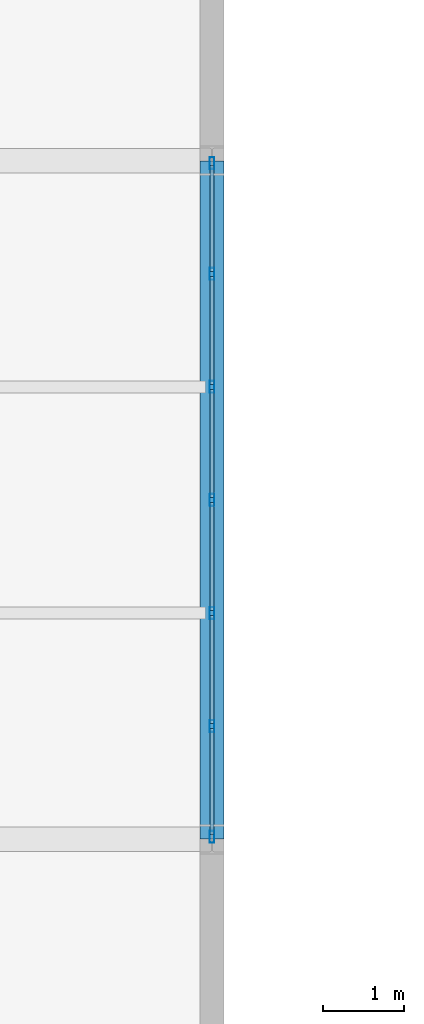
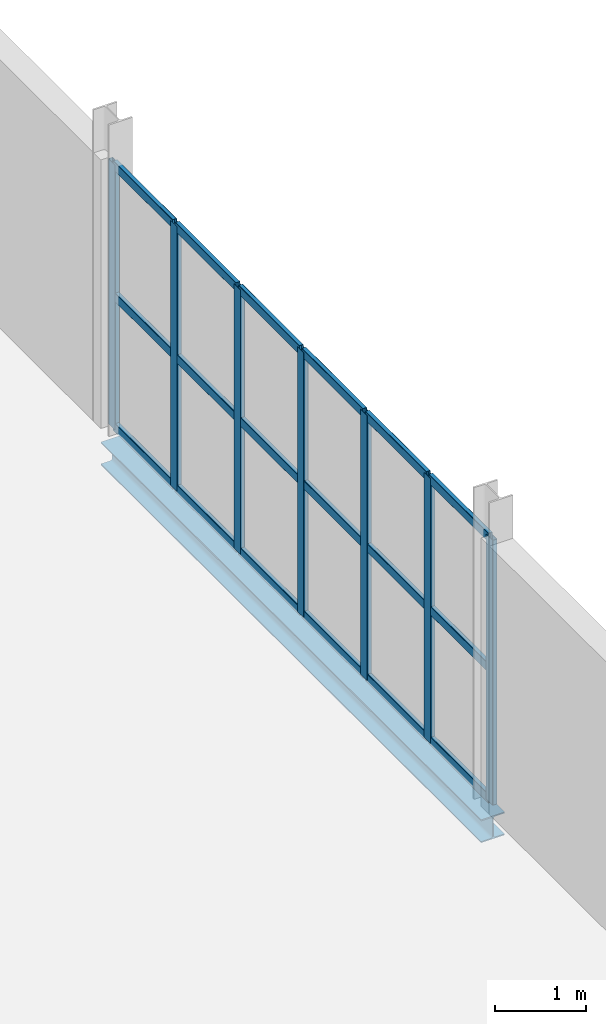
# One storey, part 86 of 163: 25 members, 1 beam, 1 element without a shape of its own.
"""IFC4 building model written with IfcOpenShell, lengths in metres."""

from ifc_helpers import new_model, si_unit, direction, frame, origin, origin_2d, place, context, subcontext, project, spatial, hollow_rectangle, i_section, extrude, material, layer, layer_set, material_profile, profile_set, type_object, element, aggregate, save


model = new_model("IFC4")

# Units and contexts
model_context = context("Model", 3, precision=1e-05, world=origin(), true_north=direction((0.0, 1.0)))
body_context = subcontext(model_context, "Body", "Model", "MODEL_VIEW")
ifc_project = project(units=[si_unit("LENGTHUNIT", "METRE"), si_unit("AREAUNIT", "SQUARE_METRE"), si_unit("VOLUMEUNIT", "CUBIC_METRE"), si_unit("PLANEANGLEUNIT", "RADIAN"), si_unit("MASSUNIT", "GRAM", prefix="KILO")], contexts=[model_context])

# Site, building, storey
site_placement = place(None, origin())
site = spatial("IfcSite", under=ifc_project, at=site_placement, CompositionType="ELEMENT")
building_placement = place(site_placement, origin())
building = spatial("IfcBuilding", under=site, at=building_placement, Name="Qalvenar Corner Mobility Hub", CompositionType="ELEMENT")
storey_placement = place(building_placement, frame((0.0, 0.0, 4.800048828125)))
storey = spatial("IfcBuildingStorey", under=building, at=storey_placement, Name="L01", CompositionType="ELEMENT", Elevation=4.800048828125)

# Beam
ifc_material_1 = material(Name="Steel S355", Category="steel")
ifc_material_profile_1 = material_profile(ifc_material_1, i_section(OverallWidth=0.300048828125, OverallDepth=0.31005859375, WebThickness=0.009033203125, FlangeThickness=0.015380859375, FilletRadius=0.027099609375, at=origin_2d()), Name="HEA320")
ifc_profile_set_1 = profile_set([ifc_material_profile_1], Name="Steel S355")
beam_type = type_object("IfcBeamType", Name="BM-SPN320", PredefinedType="SPANDREL", material=ifc_profile_set_1)
beam_placement = place(storey_placement, frame((33.60009765625, 67.199951171875, -0.3349609375), z_axis=(0.0, 1.0, 0.0), x_axis=(-1.0, 0.0, 0.0)))
element("IfcBeam", 1, at=beam_placement, inside=storey, type_object=beam_type, Name="Primary Steel Girder GY-1207", PredefinedType="SPANDREL", context=body_context, shape_type="SweptSolid", body=[
    extrude(i_section(OverallWidth=0.300048828125, OverallDepth=0.31005859375, WebThickness=0.009033203125, FlangeThickness=0.015380859375, FilletRadius=0.027099609375, at=origin_2d()), origin(), (0.0, 0.0, 1.0), 8.400146484375),
])

# Curtain wall, members
ifc_material_2 = material(Name="Anodised Aluminium and Low-E Glazing", Category="aluminium")
ifc_layer = layer(ifc_material_2, 0.14990234375)
ifc_layer_set = layer_set([ifc_layer], Name="Anodised Aluminium and Low-E Glazing")
curtain_wall_type = type_object("IfcCurtainWallType", Name="CW-CYC-84X39", PredefinedType="NOTDEFINED", material=ifc_layer_set)
curtain_wall_placement = place(storey_placement, origin())
curtain_wall = element("IfcCurtainWall", 2, at=curtain_wall_placement, inside=storey, type_object=curtain_wall_type, Name="Glazed Curtain Wall CW-V5-L01-E3", PredefinedType="NOTDEFINED")
ifc_material_3 = material(Name="Anodised Aluminium 6063-T6", Category="aluminium")
ifc_material_profile_2 = material_profile(ifc_material_3, hollow_rectangle(XDim=0.06005859375, YDim=0.14990234375, WallThickness=0.00390625, InnerFilletRadius=0.00390625, OuterFilletRadius=0.008056640625, at=origin_2d()), Name="RHS150x60x4")
ifc_profile_set_2 = profile_set([ifc_material_profile_2], Name="Anodised Aluminium 6063-T6")
member_type_1 = type_object("IfcMemberType", Name="CW-MUL150", PredefinedType="MULLION", material=ifc_profile_set_2)
member_1_placement = place(storey_placement, frame((33.60009765625, 67.22998046875, 0.0), z_axis=(0.0, 0.0, 1.0), x_axis=(-1.0, 0.0, 0.0)))
member_1 = element("IfcMember", 3, at=member_1_placement, type_object=member_type_1, Name="CW-08 mullion 1", PredefinedType="MULLION", context=body_context, shape_type="SweptSolid", body=[
    extrude(hollow_rectangle(XDim=0.06005859375, YDim=0.14990234375, WallThickness=0.00390625, InnerFilletRadius=0.00390625, OuterFilletRadius=0.008056640625, at=origin_2d()), origin(), (0.0, 0.0, 1.0), 3.570068359375),
])
member_2_placement = place(storey_placement, frame((33.60009765625, 68.60009765625, 0.0), z_axis=(0.0, 0.0, 1.0), x_axis=(-1.0, 0.0, 0.0)))
member_2 = element("IfcMember", 4, at=member_2_placement, type_object=member_type_1, Name="CW-08 mullion 2", PredefinedType="MULLION", context=body_context, shape_type="SweptSolid", body=[
    extrude(hollow_rectangle(XDim=0.06005859375, YDim=0.14990234375, WallThickness=0.00390625, InnerFilletRadius=0.00390625, OuterFilletRadius=0.008056640625, at=origin_2d()), origin(), (0.0, 0.0, 1.0), 3.570068359375),
])
member_3_placement = place(storey_placement, frame((33.60009765625, 70.0, 0.0), z_axis=(0.0, 0.0, 1.0), x_axis=(-1.0, 0.0, 0.0)))
member_3 = element("IfcMember", 5, at=member_3_placement, type_object=member_type_1, Name="CW-08 mullion 3", PredefinedType="MULLION", context=body_context, shape_type="SweptSolid", body=[
    extrude(hollow_rectangle(XDim=0.06005859375, YDim=0.14990234375, WallThickness=0.00390625, InnerFilletRadius=0.00390625, OuterFilletRadius=0.008056640625, at=origin_2d()), origin(), (0.0, 0.0, 1.0), 3.570068359375),
])
member_4_placement = place(storey_placement, frame((33.60009765625, 71.39990234375, 0.0), z_axis=(0.0, 0.0, 1.0), x_axis=(-1.0, 0.0, 0.0)))
member_4 = element("IfcMember", 6, at=member_4_placement, type_object=member_type_1, Name="CW-08 mullion 4", PredefinedType="MULLION", context=body_context, shape_type="SweptSolid", body=[
    extrude(hollow_rectangle(XDim=0.06005859375, YDim=0.14990234375, WallThickness=0.00390625, InnerFilletRadius=0.00390625, OuterFilletRadius=0.008056640625, at=origin_2d()), origin(), (0.0, 0.0, 1.0), 3.570068359375),
])
member_5_placement = place(storey_placement, frame((33.60009765625, 72.800048828125, 0.0), z_axis=(0.0, 0.0, 1.0), x_axis=(-1.0, 0.0, 0.0)))
member_5 = element("IfcMember", 7, at=member_5_placement, type_object=member_type_1, Name="CW-08 mullion 5", PredefinedType="MULLION", context=body_context, shape_type="SweptSolid", body=[
    extrude(hollow_rectangle(XDim=0.06005859375, YDim=0.14990234375, WallThickness=0.00390625, InnerFilletRadius=0.00390625, OuterFilletRadius=0.008056640625, at=origin_2d()), origin(), (0.0, 0.0, 1.0), 3.570068359375),
])
member_6_placement = place(storey_placement, frame((33.60009765625, 74.199951171875, 0.0), z_axis=(0.0, 0.0, 1.0), x_axis=(-1.0, 0.0, 0.0)))
member_6 = element("IfcMember", 8, at=member_6_placement, type_object=member_type_1, Name="CW-08 mullion 6", PredefinedType="MULLION", context=body_context, shape_type="SweptSolid", body=[
    extrude(hollow_rectangle(XDim=0.06005859375, YDim=0.14990234375, WallThickness=0.00390625, InnerFilletRadius=0.00390625, OuterFilletRadius=0.008056640625, at=origin_2d()), origin(), (0.0, 0.0, 1.0), 3.570068359375),
])
member_7_placement = place(storey_placement, frame((33.60009765625, 75.570068359375, 0.0), z_axis=(0.0, 0.0, 1.0), x_axis=(-1.0, 0.0, 0.0)))
member_7 = element("IfcMember", 9, at=member_7_placement, type_object=member_type_1, Name="CW-08 mullion 7", PredefinedType="MULLION", context=body_context, shape_type="SweptSolid", body=[
    extrude(hollow_rectangle(XDim=0.06005859375, YDim=0.14990234375, WallThickness=0.00390625, InnerFilletRadius=0.00390625, OuterFilletRadius=0.008056640625, at=origin_2d()), origin(), (0.0, 0.0, 1.0), 3.570068359375),
])
ifc_material_profile_3 = material_profile(ifc_material_3, hollow_rectangle(XDim=0.054931640625, YDim=0.1201171875, WallThickness=0.00341796875, InnerFilletRadius=0.00341796875, OuterFilletRadius=0.007080078125, at=origin_2d()), Name="RHS120x55x3.5")
ifc_profile_set_3 = profile_set([ifc_material_profile_3], Name="Anodised Aluminium 6063-T6")
member_type_2 = type_object("IfcMemberType", Name="CW-TRN120", PredefinedType="USERDEFINED", material=ifc_profile_set_3)
member_8_placement = place(storey_placement, frame((33.60009765625, 67.260009765625, 0.02734375), z_axis=(0.0, 1.0, 0.0), x_axis=(-1.0, 0.0, 0.0)))
member_8 = element("IfcMember", 10, at=member_8_placement, type_object=member_type_2, Name="CW-08 transom 1.1", ObjectType="TRANSOM", PredefinedType="USERDEFINED", context=body_context, shape_type="SweptSolid", body=[
    extrude(hollow_rectangle(XDim=0.054931640625, YDim=0.1201171875, WallThickness=0.00341796875, InnerFilletRadius=0.00341796875, OuterFilletRadius=0.007080078125, at=origin_2d()), origin(), (0.0, 0.0, 1.0), 1.31005859375),
])
member_9_placement = place(storey_placement, frame((33.60009765625, 67.260009765625, 1.784912109375), z_axis=(0.0, 1.0, 0.0), x_axis=(-1.0, 0.0, 0.0)))
member_9 = element("IfcMember", 11, at=member_9_placement, type_object=member_type_2, Name="CW-08 transom 1.2", ObjectType="TRANSOM", PredefinedType="USERDEFINED", context=body_context, shape_type="SweptSolid", body=[
    extrude(hollow_rectangle(XDim=0.054931640625, YDim=0.1201171875, WallThickness=0.00341796875, InnerFilletRadius=0.00341796875, OuterFilletRadius=0.007080078125, at=origin_2d()), origin(), (0.0, 0.0, 1.0), 1.31005859375),
])
member_10_placement = place(storey_placement, frame((33.60009765625, 67.260009765625, 3.54248046875), z_axis=(0.0, 1.0, 0.0), x_axis=(-1.0, 0.0, 0.0)))
member_10 = element("IfcMember", 12, at=member_10_placement, type_object=member_type_2, Name="CW-08 transom 1.3", ObjectType="TRANSOM", PredefinedType="USERDEFINED", context=body_context, shape_type="SweptSolid", body=[
    extrude(hollow_rectangle(XDim=0.054931640625, YDim=0.1201171875, WallThickness=0.00341796875, InnerFilletRadius=0.00341796875, OuterFilletRadius=0.007080078125, at=origin_2d()), origin(), (0.0, 0.0, 1.0), 1.31005859375),
])
member_11_placement = place(storey_placement, frame((33.60009765625, 68.6298828125, 0.02734375), z_axis=(0.0, 1.0, 0.0), x_axis=(-1.0, 0.0, 0.0)))
member_11 = element("IfcMember", 13, at=member_11_placement, type_object=member_type_2, Name="CW-08 transom 2.1", ObjectType="TRANSOM", PredefinedType="USERDEFINED", context=body_context, shape_type="SweptSolid", body=[
    extrude(hollow_rectangle(XDim=0.054931640625, YDim=0.1201171875, WallThickness=0.00341796875, InnerFilletRadius=0.00341796875, OuterFilletRadius=0.007080078125, at=origin_2d()), origin(), (0.0, 0.0, 1.0), 1.340087890625),
])
member_12_placement = place(storey_placement, frame((33.60009765625, 68.6298828125, 1.784912109375), z_axis=(0.0, 1.0, 0.0), x_axis=(-1.0, 0.0, 0.0)))
member_12 = element("IfcMember", 14, at=member_12_placement, type_object=member_type_2, Name="CW-08 transom 2.2", ObjectType="TRANSOM", PredefinedType="USERDEFINED", context=body_context, shape_type="SweptSolid", body=[
    extrude(hollow_rectangle(XDim=0.054931640625, YDim=0.1201171875, WallThickness=0.00341796875, InnerFilletRadius=0.00341796875, OuterFilletRadius=0.007080078125, at=origin_2d()), origin(), (0.0, 0.0, 1.0), 1.340087890625),
])
member_13_placement = place(storey_placement, frame((33.60009765625, 68.6298828125, 3.54248046875), z_axis=(0.0, 1.0, 0.0), x_axis=(-1.0, 0.0, 0.0)))
member_13 = element("IfcMember", 15, at=member_13_placement, type_object=member_type_2, Name="CW-08 transom 2.3", ObjectType="TRANSOM", PredefinedType="USERDEFINED", context=body_context, shape_type="SweptSolid", body=[
    extrude(hollow_rectangle(XDim=0.054931640625, YDim=0.1201171875, WallThickness=0.00341796875, InnerFilletRadius=0.00341796875, OuterFilletRadius=0.007080078125, at=origin_2d()), origin(), (0.0, 0.0, 1.0), 1.340087890625),
])
member_14_placement = place(storey_placement, frame((33.60009765625, 70.030029296875, 0.02734375), z_axis=(0.0, 1.0, 0.0), x_axis=(-1.0, 0.0, 0.0)))
member_14 = element("IfcMember", 16, at=member_14_placement, type_object=member_type_2, Name="CW-08 transom 3.1", ObjectType="TRANSOM", PredefinedType="USERDEFINED", context=body_context, shape_type="SweptSolid", body=[
    extrude(hollow_rectangle(XDim=0.054931640625, YDim=0.1201171875, WallThickness=0.00341796875, InnerFilletRadius=0.00341796875, OuterFilletRadius=0.007080078125, at=origin_2d()), origin(), (0.0, 0.0, 1.0), 1.340087890625),
])
member_15_placement = place(storey_placement, frame((33.60009765625, 70.030029296875, 1.784912109375), z_axis=(0.0, 1.0, 0.0), x_axis=(-1.0, 0.0, 0.0)))
member_15 = element("IfcMember", 17, at=member_15_placement, type_object=member_type_2, Name="CW-08 transom 3.2", ObjectType="TRANSOM", PredefinedType="USERDEFINED", context=body_context, shape_type="SweptSolid", body=[
    extrude(hollow_rectangle(XDim=0.054931640625, YDim=0.1201171875, WallThickness=0.00341796875, InnerFilletRadius=0.00341796875, OuterFilletRadius=0.007080078125, at=origin_2d()), origin(), (0.0, 0.0, 1.0), 1.340087890625),
])
member_16_placement = place(storey_placement, frame((33.60009765625, 70.030029296875, 3.54248046875), z_axis=(0.0, 1.0, 0.0), x_axis=(-1.0, 0.0, 0.0)))
member_16 = element("IfcMember", 18, at=member_16_placement, type_object=member_type_2, Name="CW-08 transom 3.3", ObjectType="TRANSOM", PredefinedType="USERDEFINED", context=body_context, shape_type="SweptSolid", body=[
    extrude(hollow_rectangle(XDim=0.054931640625, YDim=0.1201171875, WallThickness=0.00341796875, InnerFilletRadius=0.00341796875, OuterFilletRadius=0.007080078125, at=origin_2d()), origin(), (0.0, 0.0, 1.0), 1.340087890625),
])
member_17_placement = place(storey_placement, frame((33.60009765625, 71.429931640625, 0.02734375), z_axis=(0.0, 1.0, 0.0), x_axis=(-1.0, 0.0, 0.0)))
member_17 = element("IfcMember", 19, at=member_17_placement, type_object=member_type_2, Name="CW-08 transom 4.1", ObjectType="TRANSOM", PredefinedType="USERDEFINED", context=body_context, shape_type="SweptSolid", body=[
    extrude(hollow_rectangle(XDim=0.054931640625, YDim=0.1201171875, WallThickness=0.00341796875, InnerFilletRadius=0.00341796875, OuterFilletRadius=0.007080078125, at=origin_2d()), origin(), (0.0, 0.0, 1.0), 1.340087890625),
])
member_18_placement = place(storey_placement, frame((33.60009765625, 71.429931640625, 1.784912109375), z_axis=(0.0, 1.0, 0.0), x_axis=(-1.0, 0.0, 0.0)))
member_18 = element("IfcMember", 20, at=member_18_placement, type_object=member_type_2, Name="CW-08 transom 4.2", ObjectType="TRANSOM", PredefinedType="USERDEFINED", context=body_context, shape_type="SweptSolid", body=[
    extrude(hollow_rectangle(XDim=0.054931640625, YDim=0.1201171875, WallThickness=0.00341796875, InnerFilletRadius=0.00341796875, OuterFilletRadius=0.007080078125, at=origin_2d()), origin(), (0.0, 0.0, 1.0), 1.340087890625),
])
member_19_placement = place(storey_placement, frame((33.60009765625, 71.429931640625, 3.54248046875), z_axis=(0.0, 1.0, 0.0), x_axis=(-1.0, 0.0, 0.0)))
member_19 = element("IfcMember", 21, at=member_19_placement, type_object=member_type_2, Name="CW-08 transom 4.3", ObjectType="TRANSOM", PredefinedType="USERDEFINED", context=body_context, shape_type="SweptSolid", body=[
    extrude(hollow_rectangle(XDim=0.054931640625, YDim=0.1201171875, WallThickness=0.00341796875, InnerFilletRadius=0.00341796875, OuterFilletRadius=0.007080078125, at=origin_2d()), origin(), (0.0, 0.0, 1.0), 1.340087890625),
])
member_20_placement = place(storey_placement, frame((33.60009765625, 72.830078125, 0.02734375), z_axis=(0.0, 1.0, 0.0), x_axis=(-1.0, 0.0, 0.0)))
member_20 = element("IfcMember", 22, at=member_20_placement, type_object=member_type_2, Name="CW-08 transom 5.1", ObjectType="TRANSOM", PredefinedType="USERDEFINED", context=body_context, shape_type="SweptSolid", body=[
    extrude(hollow_rectangle(XDim=0.054931640625, YDim=0.1201171875, WallThickness=0.00341796875, InnerFilletRadius=0.00341796875, OuterFilletRadius=0.007080078125, at=origin_2d()), origin(), (0.0, 0.0, 1.0), 1.33984375),
])
member_21_placement = place(storey_placement, frame((33.60009765625, 72.830078125, 1.784912109375), z_axis=(0.0, 1.0, 0.0), x_axis=(-1.0, 0.0, 0.0)))
member_21 = element("IfcMember", 23, at=member_21_placement, type_object=member_type_2, Name="CW-08 transom 5.2", ObjectType="TRANSOM", PredefinedType="USERDEFINED", context=body_context, shape_type="SweptSolid", body=[
    extrude(hollow_rectangle(XDim=0.054931640625, YDim=0.1201171875, WallThickness=0.00341796875, InnerFilletRadius=0.00341796875, OuterFilletRadius=0.007080078125, at=origin_2d()), origin(), (0.0, 0.0, 1.0), 1.33984375),
])
member_22_placement = place(storey_placement, frame((33.60009765625, 72.830078125, 3.54248046875), z_axis=(0.0, 1.0, 0.0), x_axis=(-1.0, 0.0, 0.0)))
member_22 = element("IfcMember", 24, at=member_22_placement, type_object=member_type_2, Name="CW-08 transom 5.3", ObjectType="TRANSOM", PredefinedType="USERDEFINED", context=body_context, shape_type="SweptSolid", body=[
    extrude(hollow_rectangle(XDim=0.054931640625, YDim=0.1201171875, WallThickness=0.00341796875, InnerFilletRadius=0.00341796875, OuterFilletRadius=0.007080078125, at=origin_2d()), origin(), (0.0, 0.0, 1.0), 1.33984375),
])
member_23_placement = place(storey_placement, frame((33.60009765625, 74.22998046875, 0.02734375), z_axis=(0.0, 1.0, 0.0), x_axis=(-1.0, 0.0, 0.0)))
member_23 = element("IfcMember", 25, at=member_23_placement, type_object=member_type_2, Name="CW-08 transom 6.1", ObjectType="TRANSOM", PredefinedType="USERDEFINED", context=body_context, shape_type="SweptSolid", body=[
    extrude(hollow_rectangle(XDim=0.054931640625, YDim=0.1201171875, WallThickness=0.00341796875, InnerFilletRadius=0.00341796875, OuterFilletRadius=0.007080078125, at=origin_2d()), origin(), (0.0, 0.0, 1.0), 1.31005859375),
])
member_24_placement = place(storey_placement, frame((33.60009765625, 74.22998046875, 1.784912109375), z_axis=(0.0, 1.0, 0.0), x_axis=(-1.0, 0.0, 0.0)))
member_24 = element("IfcMember", 26, at=member_24_placement, type_object=member_type_2, Name="CW-08 transom 6.2", ObjectType="TRANSOM", PredefinedType="USERDEFINED", context=body_context, shape_type="SweptSolid", body=[
    extrude(hollow_rectangle(XDim=0.054931640625, YDim=0.1201171875, WallThickness=0.00341796875, InnerFilletRadius=0.00341796875, OuterFilletRadius=0.007080078125, at=origin_2d()), origin(), (0.0, 0.0, 1.0), 1.31005859375),
])
member_25_placement = place(storey_placement, frame((33.60009765625, 74.22998046875, 3.54248046875), z_axis=(0.0, 1.0, 0.0), x_axis=(-1.0, 0.0, 0.0)))
member_25 = element("IfcMember", 27, at=member_25_placement, type_object=member_type_2, Name="CW-08 transom 6.3", ObjectType="TRANSOM", PredefinedType="USERDEFINED", context=body_context, shape_type="SweptSolid", body=[
    extrude(hollow_rectangle(XDim=0.054931640625, YDim=0.1201171875, WallThickness=0.00341796875, InnerFilletRadius=0.00341796875, OuterFilletRadius=0.007080078125, at=origin_2d()), origin(), (0.0, 0.0, 1.0), 1.31005859375),
])
aggregate(curtain_wall, [member_1, member_2, member_3, member_4, member_5, member_6, member_7, member_8, member_9, member_10, member_11, member_12, member_13, member_14, member_15, member_16, member_17, member_18, member_19, member_20, member_21, member_22, member_23, member_24, member_25])

save(model, "model.ifc")
